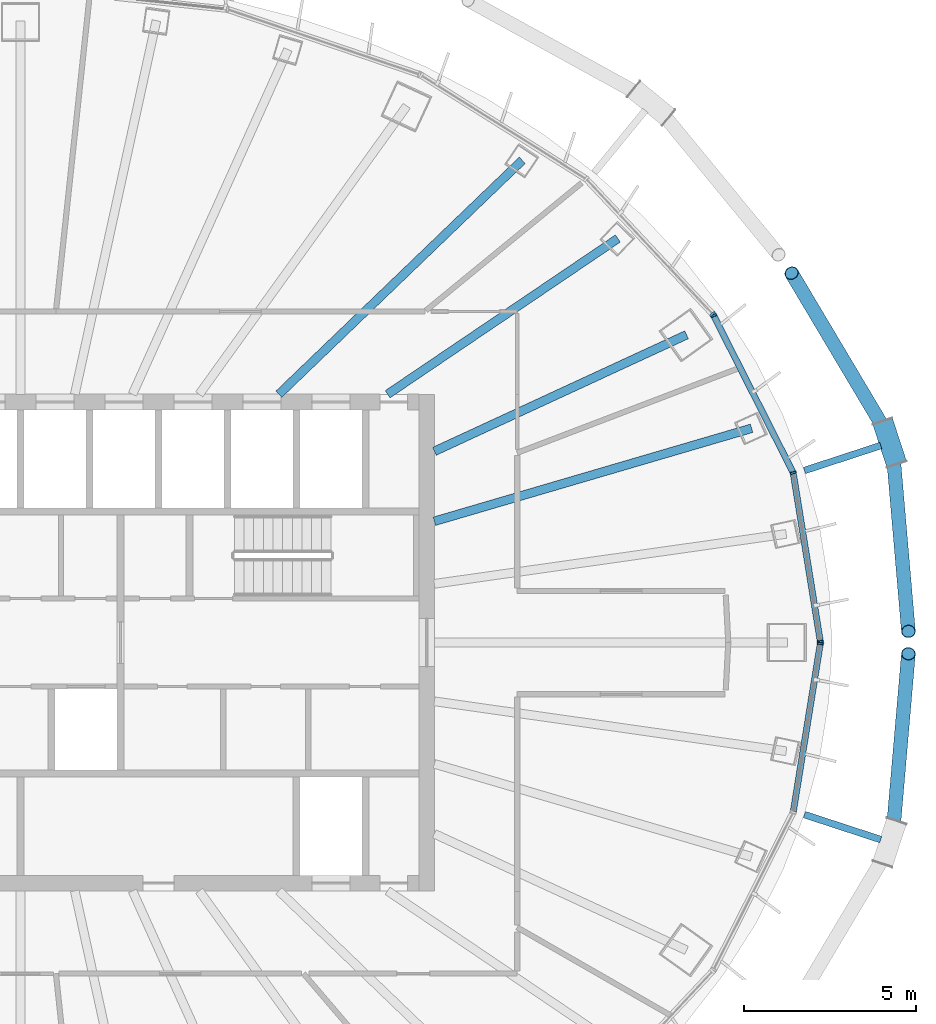
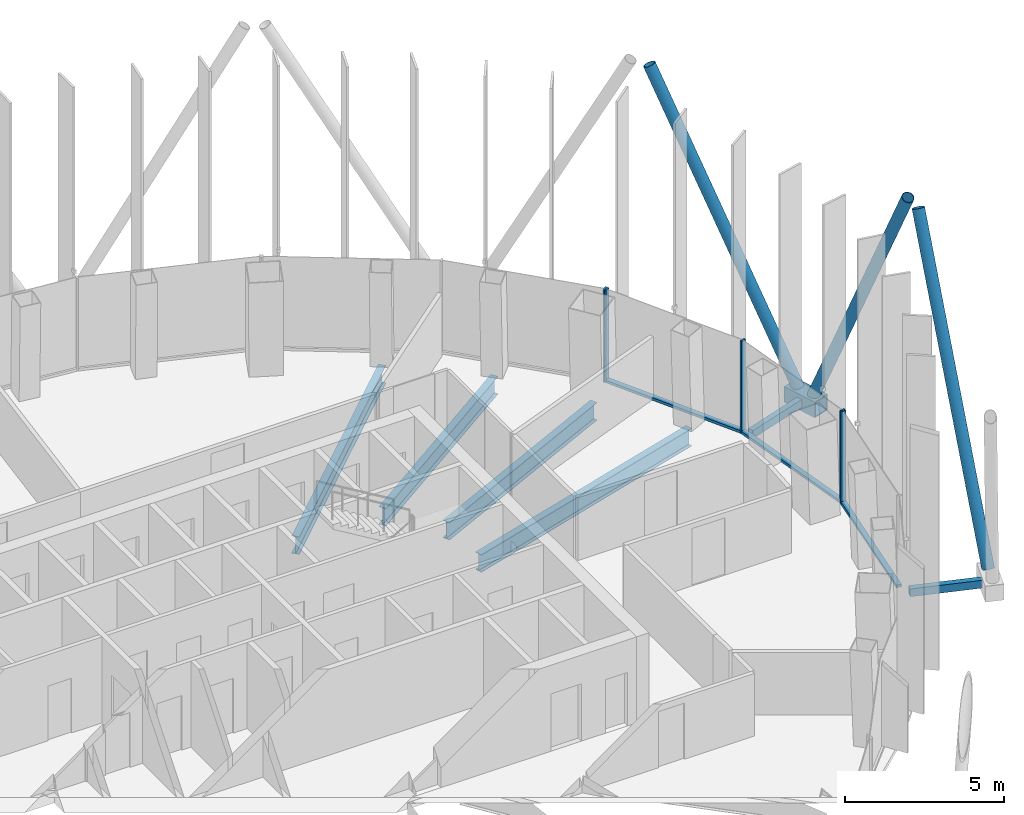
# One storey, part 6 of 19: 14 members, 4 beams, 3 elements without a shape of their own.
"""IFC4 building model written with IfcOpenShell, lengths in metres."""

from ifc_helpers import new_model, si_unit, direction, frame, origin, origin_2d, place, context, subcontext, project, spatial, rectangle, hollow_rectangle, hollow_circle, i_section, extrude, material, layer, layer_set, material_profile, profile_set, type_object, element, aggregate, save


model = new_model("IFC4")

# Units and contexts
model_context = context("Model", 3, precision=1e-05, world=origin(), true_north=direction((0.0, 1.0)))
body_context = subcontext(model_context, "Body", "Model", "MODEL_VIEW")
ifc_project = project(units=[si_unit("LENGTHUNIT", "METRE"), si_unit("AREAUNIT", "SQUARE_METRE"), si_unit("VOLUMEUNIT", "CUBIC_METRE"), si_unit("PLANEANGLEUNIT", "RADIAN"), si_unit("MASSUNIT", "GRAM", prefix="KILO")], contexts=[model_context])

# Site, building, storey
site_placement = place(None, origin())
site = spatial("IfcSite", under=ifc_project, at=site_placement, CompositionType="ELEMENT")
building_placement = place(site_placement, origin())
building = spatial("IfcBuilding", under=site, at=building_placement, Name="Siaravel Broadcast Tower", CompositionType="ELEMENT")
storey_placement = place(building_placement, frame((0.0, 0.0, 179.300048828125)))
storey = spatial("IfcBuildingStorey", under=building, at=storey_placement, Name="L43", CompositionType="ELEMENT", Elevation=179.300048828125)

# Beams
ifc_material_1 = material(Name="Steel S355", Category="steel")
ifc_material_profile_1 = material_profile(ifc_material_1, i_section(OverallWidth=0.2529296875, OverallDepth=0.677978515625, WebThickness=0.01171875, FlangeThickness=0.01611328125, FilletRadius=0.01513671875, at=origin_2d()))
ifc_profile_set_1 = profile_set([ifc_material_profile_1], Name="Steel S355")
beam_type = type_object("IfcBeamType", Name="BM-UB 686x254x125", PredefinedType="BEAM", material=ifc_profile_set_1)
beam_1_placement = place(storey_placement, frame((21.197998046875, 6.212890625, -0.489013671875), z_axis=(-0.959633167, -0.281254663, 0.0), x_axis=(0.281254663, -0.959633167, 0.0)))
element("IfcBeam", 1, at=beam_1_placement, inside=storey, type_object=beam_type, Name="Radial beam RB03", PredefinedType="BEAM", context=body_context, shape_type="SweptSolid", body=[
    extrude(i_section(OverallWidth=0.2529296875, OverallDepth=0.677978515625, WebThickness=0.01171875, FlangeThickness=0.01611328125, FilletRadius=0.01513671875, at=origin_2d()), origin(), (0.0, 0.0, 1.0), 9.5849609375),
])
beam_2_placement = place(storey_placement, frame((19.31103515625, 8.923828125, -0.489013671875), z_axis=(-0.907765873, -0.419477197, 0.0), x_axis=(0.419477197, -0.907765873, 0.0)))
element("IfcBeam", 2, at=beam_2_placement, inside=storey, type_object=beam_type, Name="Radial beam RB04", PredefinedType="BEAM", context=body_context, shape_type="SweptSolid", body=[
    extrude(i_section(OverallWidth=0.2529296875, OverallDepth=0.677978515625, WebThickness=0.01171875, FlangeThickness=0.01611328125, FilletRadius=0.01513671875, at=origin_2d()), origin(), (0.0, 0.0, 1.0), 8.053955078125),
])
beam_3_placement = place(storey_placement, frame((17.318115234375, 11.714599609375, -0.489013671875), z_axis=(-0.828302437, -0.560281245, 0.0), x_axis=(0.560281245, -0.828302437, 0.0)))
element("IfcBeam", 3, at=beam_3_placement, inside=storey, type_object=beam_type, Name="Radial beam RB05", PredefinedType="BEAM", context=body_context, shape_type="SweptSolid", body=[
    extrude(i_section(OverallWidth=0.2529296875, OverallDepth=0.677978515625, WebThickness=0.01171875, FlangeThickness=0.01611328125, FilletRadius=0.01513671875, at=origin_2d()), origin(), (0.0, 0.0, 1.0), 8.057861328125),
])
beam_4_placement = place(storey_placement, frame((14.54736328125, 13.98388671875, -0.489013671875), z_axis=(-0.720935136, -0.693002547, 0.0), x_axis=(0.693002547, -0.720935136, 0.0)))
element("IfcBeam", 4, at=beam_4_placement, inside=storey, type_object=beam_type, Name="Radial beam RB06", PredefinedType="BEAM", context=body_context, shape_type="SweptSolid", body=[
    extrude(i_section(OverallWidth=0.2529296875, OverallDepth=0.677978515625, WebThickness=0.01171875, FlangeThickness=0.01611328125, FilletRadius=0.01513671875, at=origin_2d()), origin(), (0.0, 0.0, 1.0), 9.789306640625),
])

# Curtain wall, members
ifc_material_2 = material(Name="Aluminium 6063-T6", Category="aluminium")
ifc_layer = layer(ifc_material_2, 0.179931640625)
ifc_layer_set = layer_set([ifc_layer], Name="Aluminium 6063-T6")
curtain_wall_type = type_object("IfcCurtainWallType", Name="Unitised curtain wall, zone 3", PredefinedType="NOTDEFINED", material=ifc_layer_set)
curtain_wall_1_placement = place(storey_placement, origin())
curtain_wall_1 = element("IfcCurtainWall", 5, at=curtain_wall_1_placement, inside=storey, type_object=curtain_wall_type, Name="L43 Unitised curtain wall, zone 3 01", PredefinedType="NOTDEFINED")
ifc_material_profile_2 = material_profile(ifc_material_2, rectangle(XDim=0.179931640625, YDim=0.06005859375, at=origin_2d()))
ifc_profile_set_2 = profile_set([ifc_material_profile_2], Name="Aluminium 6063-T6")
member_type_1 = type_object("IfcMemberType", Name="CW-Z3 mullion", PredefinedType="MULLION", material=ifc_profile_set_2)
member_1_placement = place(storey_placement, frame((23.189697265625, 0.029541015625, 0.0), z_axis=(0.0, 0.0, 1.0), x_axis=(-0.987329174, -0.158685547, 0.0)))
member_1 = element("IfcMember", 6, at=member_1_placement, type_object=member_type_1, Name="CW-Z3 mullion 1", PredefinedType="MULLION", context=body_context, shape_type="SweptSolid", body=[
    extrude(rectangle(XDim=0.179931640625, YDim=0.06005859375, at=origin_2d()), origin(), (0.0, 0.0, 1.0), 3.550048828125),
])
member_2_placement = place(storey_placement, frame((22.4033203125, 4.922119140625, 0.0), z_axis=(0.0, 0.0, 1.0), x_axis=(-0.95117718, -0.308645383, 0.0)))
member_2 = element("IfcMember", 7, at=member_2_placement, type_object=member_type_1, Name="CW-Z3 mullion 2", PredefinedType="MULLION", context=body_context, shape_type="SweptSolid", body=[
    extrude(rectangle(XDim=0.179931640625, YDim=0.06005859375, at=origin_2d()), origin(), (0.0, 0.0, 1.0), 3.550048828125),
])
member_3_placement = place(storey_placement, frame((20.09814453125, 9.48095703125, 0.0), z_axis=(0.0, 0.0, 1.0), x_axis=(-0.892392002, -0.451261028, 0.0)))
member_3 = element("IfcMember", 8, at=member_3_placement, type_object=member_type_1, Name="CW-Z3 mullion 3", PredefinedType="MULLION", context=body_context, shape_type="SweptSolid", body=[
    extrude(rectangle(XDim=0.179931640625, YDim=0.06005859375, at=origin_2d()), origin(), (0.0, 0.0, 1.0), 3.550048828125),
])

# Curtain wall, member
curtain_wall_2_placement = place(storey_placement, origin())
curtain_wall_2 = element("IfcCurtainWall", 9, at=curtain_wall_2_placement, inside=storey, type_object=curtain_wall_type, Name="L43 Unitised curtain wall, zone 3 02", PredefinedType="NOTDEFINED")
member_4_placement = place(storey_placement, frame((20.064208984375, 9.52978515625, 0.0), z_axis=(0.0, 0.0, 1.0), x_axis=(-0.729805016, -0.683655351, 0.0)))
member_4 = element("IfcMember", 10, at=member_4_placement, type_object=member_type_1, Name="CW-Z3 mullion 1", PredefinedType="MULLION", context=body_context, shape_type="SweptSolid", body=[
    extrude(rectangle(XDim=0.179931640625, YDim=0.06005859375, at=origin_2d()), origin(), (0.0, 0.0, 1.0), 3.550048828125),
])
aggregate(curtain_wall_2, [member_4])

curtain_wall_3_placement = place(storey_placement, origin())
curtain_wall_3 = element("IfcCurtainWall", 11, at=curtain_wall_3_placement, inside=storey, type_object=curtain_wall_type, Name="L43 Unitised curtain wall, zone 3 12", PredefinedType="NOTDEFINED")
member_5_placement = place(storey_placement, frame((23.189697265625, -0.029541015625, 0.0), z_axis=(0.0, 0.0, 1.0), x_axis=(-0.987329174, 0.158685547, 0.0)))
member_5 = element("IfcMember", 12, at=member_5_placement, type_object=member_type_1, Name="CW-Z3 mullion 3", PredefinedType="MULLION", context=body_context, shape_type="SweptSolid", body=[
    extrude(rectangle(XDim=0.179931640625, YDim=0.06005859375, at=origin_2d()), origin(), (0.0, 0.0, 1.0), 3.550048828125),
])

# Member
ifc_material_profile_3 = material_profile(ifc_material_2, rectangle(XDim=0.179931640625, YDim=0.10009765625, at=origin_2d()))
ifc_profile_set_3 = profile_set([ifc_material_profile_3], Name="Aluminium 6063-T6")
member_type_2 = type_object("IfcMemberType", Name="CW-Z3 transom", PredefinedType="USERDEFINED", material=ifc_profile_set_3)
member_6_placement = place(storey_placement, frame((23.18505859375, 0.05908203125, 0.050048828125), z_axis=(-0.158686777, 0.987328976, 0.0), x_axis=(-0.987328976, -0.158686777, 0.0)))
member_6 = element("IfcMember", 13, at=member_6_placement, type_object=member_type_2, Name="CW-Z3 transom 1", ObjectType="TRANSOM", PredefinedType="USERDEFINED", context=body_context, shape_type="SweptSolid", body=[
    extrude(rectangle(XDim=0.179931640625, YDim=0.10009765625, at=origin_2d()), origin(), (0.0, 0.0, 1.0), 4.8955078125),
])

member_7_placement = place(storey_placement, frame((22.389892578125, 4.948974609375, 0.050048828125), z_axis=(-0.451251966, 0.892396584, 0.0), x_axis=(-0.892396584, -0.451251966, 0.0)))
member_7 = element("IfcMember", 14, at=member_7_placement, type_object=member_type_2, Name="CW-Z3 transom 2", ObjectType="TRANSOM", PredefinedType="USERDEFINED", context=body_context, shape_type="SweptSolid", body=[
    extrude(rectangle(XDim=0.179931640625, YDim=0.10009765625, at=origin_2d()), origin(), (0.0, 0.0, 1.0), 5.04833984375),
])

aggregate(curtain_wall_1, [member_1, member_2, member_3, member_6, member_7])

member_8_placement = place(storey_placement, frame((22.408203125, -4.892578125, 0.050048828125), z_axis=(0.158686777, 0.987328976, 0.0), x_axis=(-0.987328976, 0.158686777, 0.0)))
member_8 = element("IfcMember", 15, at=member_8_placement, type_object=member_type_2, Name="CW-Z3 transom 2", ObjectType="TRANSOM", PredefinedType="USERDEFINED", context=body_context, shape_type="SweptSolid", body=[
    extrude(rectangle(XDim=0.179931640625, YDim=0.10009765625, at=origin_2d()), origin(), (0.0, 0.0, 1.0), 4.8955078125),
])

aggregate(curtain_wall_3, [member_5, member_8])

# Members
ifc_material_3 = material(Name="Steel S460", Category="steel")
ifc_material_profile_4 = material_profile(ifc_material_3, hollow_circle(Radius=0.203125, WallThickness=0.01611328125, at=origin_2d()))
ifc_profile_set_4 = profile_set([ifc_material_profile_4], Name="Steel S460")
member_type_3 = type_object("IfcMemberType", Name="Diagrid diagonal CHS 406.4x16", PredefinedType="BRACE", material=ifc_profile_set_4)
member_9_placement = place(storey_placement, frame((25.298583984375, 5.489013671875, 0.070068359375), z_axis=(0.037895423, -0.439097128, 0.897640044), x_axis=(0.996296567, 0.085983436, 0.0)))
element("IfcMember", 16, at=member_9_placement, inside=storey, type_object=member_type_3, Name="Diagrid diagonal R18 station 03C", PredefinedType="BRACE", context=body_context, shape_type="SweptSolid", body=[
    extrude(hollow_circle(Radius=0.203125, WallThickness=0.01611328125, at=origin_2d()), origin(), (0.0, 0.0, 1.0), 11.763916015625),
])
member_10_placement = place(storey_placement, frame((25.097412109375, 6.10400390625, 0.070068359375), z_axis=(-0.231536784, 0.389110429, 0.891618636), x_axis=(-0.859367197, -0.511358993, 0.0)))
element("IfcMember", 17, at=member_10_placement, inside=storey, type_object=member_type_3, Name="Diagrid diagonal R18 station 03A", PredefinedType="BRACE", context=body_context, shape_type="SweptSolid", body=[
    extrude(hollow_circle(Radius=0.203125, WallThickness=0.01611328125, at=origin_2d()), origin(), (0.0, 0.0, 1.0), 11.843505859375),
])
member_11_placement = place(storey_placement, frame((25.298583984375, -5.489013671875, 0.070068359375), z_axis=(0.037895423, 0.439097128, 0.897640044), x_axis=(-0.996296567, 0.085983436, 0.0)))
element("IfcMember", 18, at=member_11_placement, inside=storey, type_object=member_type_3, Name="Diagrid diagonal R18 station 69A", PredefinedType="BRACE", context=body_context, shape_type="SweptSolid", body=[
    extrude(hollow_circle(Radius=0.203125, WallThickness=0.01611328125, at=origin_2d()), origin(), (0.0, 0.0, 1.0), 11.763916015625),
])
ifc_material_profile_5 = material_profile(ifc_material_3, hollow_rectangle(XDim=0.60009765625, YDim=0.60009765625, WallThickness=0.031982421875, at=origin_2d()))
ifc_profile_set_5 = profile_set([ifc_material_profile_5], Name="Steel S460")
member_type_4 = type_object("IfcMemberType", Name="Diagrid node BOX 600x600x32", PredefinedType="USERDEFINED", material=ifc_profile_set_5)
member_12_placement = place(storey_placement, frame((25.399169921875, 5.181884765625, -0.199951171875), z_axis=(-0.310899553, 0.950442775, 0.0), x_axis=(-0.950442775, -0.310899553, 0.0)))
element("IfcMember", 19, at=member_12_placement, inside=storey, type_object=member_type_4, Name="Diagrid node R18 station 03", ObjectType="DIAGRID NODE", PredefinedType="USERDEFINED", context=body_context, shape_type="SweptSolid", body=[
    extrude(hollow_rectangle(XDim=0.60009765625, YDim=0.60009765625, WallThickness=0.031982421875, at=origin_2d()), origin(), (0.0, 0.0, 1.0), 1.29345703125),
])
ifc_material_profile_6 = material_profile(ifc_material_3, hollow_rectangle(XDim=0.199951171875, YDim=0.300048828125, WallThickness=0.012451171875, at=origin_2d()))
ifc_profile_set_6 = profile_set([ifc_material_profile_6], Name="Steel S460")
member_type_5 = type_object("IfcMemberType", Name="Diagrid node arm RHS 300x200x12.5", PredefinedType="STRUT", material=ifc_profile_set_6)
for number, where, z_axis, x_axis, name in (
    (20, (22.72705078125, 4.988037109375, -0.199951171875), (0.950439361, 0.310909987, 0.0), (-0.310909987, 0.950439361, 0.0), "Node arm R18 station 03"),
    (21, (22.72705078125, -4.988037109375, -0.199951171875), (0.950439361, -0.310909987, 0.0), (0.310909987, 0.950439361, 0.0), "Node arm R18 station 69"),
):
    element("IfcMember", number, at=place(storey_placement, frame(where, z_axis=z_axis, x_axis=x_axis)), inside=storey, type_object=member_type_5, Name=name, PredefinedType="STRUT", context=body_context, shape_type="SweptSolid", body=[
        extrude(hollow_rectangle(XDim=0.199951171875, YDim=0.300048828125, WallThickness=0.012451171875, at=origin_2d()), origin(), (0.0, 0.0, 1.0), 2.329833984375),
    ])

save(model, "model.ifc")
